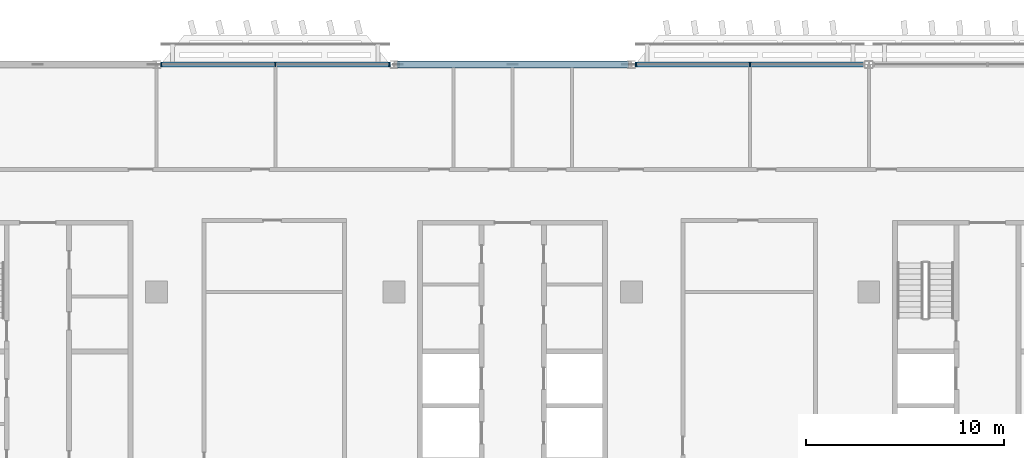
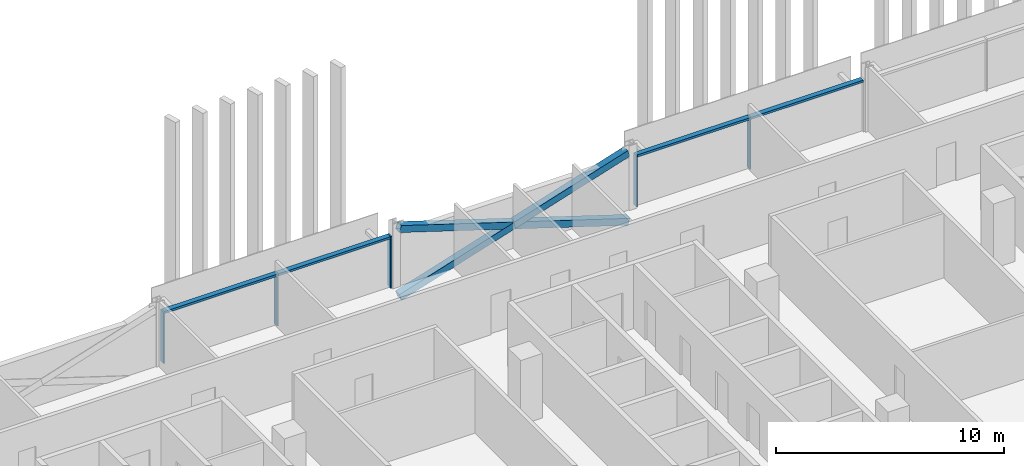
# One storey, part 5 of 28: 12 members, 2 elements without a shape of their own.
"""IFC4 building model written with IfcOpenShell, lengths in metres."""

from ifc_helpers import new_model, si_unit, direction, frame, origin, origin_2d, place, context, subcontext, project, spatial, rectangle, hollow_rectangle, extrude, material, material_profile, profile_set, type_object, element, aggregate, save


model = new_model("IFC4")

# Units and contexts
model_context = context("Model", 3, precision=1e-05, world=origin(), true_north=direction((0.0, 1.0)))
body_context = subcontext(model_context, "Body", "Model", "MODEL_VIEW")
ifc_project = project(units=[si_unit("LENGTHUNIT", "METRE"), si_unit("AREAUNIT", "SQUARE_METRE"), si_unit("VOLUMEUNIT", "CUBIC_METRE"), si_unit("PLANEANGLEUNIT", "RADIAN"), si_unit("MASSUNIT", "GRAM", prefix="KILO")], contexts=[model_context])

# Site, building, storey
site_placement = place(None, origin())
site = spatial("IfcSite", under=ifc_project, at=site_placement, CompositionType="ELEMENT")
building_placement = place(site_placement, origin())
building = spatial("IfcBuilding", under=site, at=building_placement, Name="Mahtab Terrace Research Tower", CompositionType="ELEMENT")
storey_placement = place(building_placement, frame((0.0, 0.0, 193.89990234375)))
storey = spatial("IfcBuildingStorey", under=building, at=storey_placement, Name="L46", CompositionType="ELEMENT", Elevation=193.89990234375)

# Members
ifc_material_1 = material(Name="Steel ASTM A500 Gr C", Category="steel")
ifc_material_profile_1 = material_profile(ifc_material_1, hollow_rectangle(XDim=0.355712890625, YDim=0.355712890625, WallThickness=0.015869140625, at=origin_2d()), Name="HSS14X14X5/8")
ifc_profile_set_1 = profile_set([ifc_material_profile_1], Name="Steel ASTM A500 Gr C")
member_type_1 = type_object("IfcMemberType", Name="HSS 14x14x5/8 brace XB141458", PredefinedType="BRACE", material=ifc_profile_set_1)
member_1_placement = place(storey_placement, frame((5.79931640625, 23.0, -0.615478515625), z_axis=(-0.953343380425, 0.0, 0.301888057067), x_axis=(0.0, -1.0, 0.0)))
element("IfcMember", 1, at=member_1_placement, inside=storey, type_object=member_type_1, Name="Exoskeleton brace L46 05 a", PredefinedType="BRACE", context=body_context, shape_type="SweptSolid", body=[
    extrude(hollow_rectangle(XDim=0.355712890625, YDim=0.355712890625, WallThickness=0.015869140625, at=origin_2d()), origin(), (0.0, 0.0, 1.0), 12.166259765625),
])
for number, where, z_axis, x_axis, name in (
    (2, (-5.79931640625, 23.0, -0.615478515625), (0.953343380425, 0.0, 0.301888057067), (0.0, 1.0, 0.0), "Exoskeleton brace L46 05 b1"),
    (3, (0.0, 23.0, 1.220947265625), (0.953343380425, 0.0, 0.301888057067), (0.0, 1.0, 0.0), "Exoskeleton brace L46 05 b2"),
):
    element("IfcMember", number, at=place(storey_placement, frame(where, z_axis=z_axis, x_axis=x_axis)), inside=storey, type_object=member_type_1, Name=name, PredefinedType="BRACE", context=body_context, shape_type="SweptSolid", body=[
        extrude(hollow_rectangle(XDim=0.355712890625, YDim=0.355712890625, WallThickness=0.015869140625, at=origin_2d()), origin(), (0.0, 0.0, 1.0), 6.083251953125),
    ])

# Curtain wall, members
ifc_material_2 = material(Name="Sky lounge full-height curtain wall")
curtain_wall_type = type_object("IfcCurtainWallType", Name="Sky lounge full-height curtain wall", PredefinedType="NOTDEFINED", material=ifc_material_2)
curtain_wall_1_placement = place(storey_placement, origin())
curtain_wall_1 = element("IfcCurtainWall", 4, at=curtain_wall_1_placement, inside=storey, type_object=curtain_wall_type, Name="EN.L46.3.6", PredefinedType="NOTDEFINED")
ifc_material_3 = material(Name="Natural anodised aluminium", Category="aluminium")
ifc_material_profile_2 = material_profile(ifc_material_3, rectangle(XDim=0.25, YDim=0.070068359375, at=origin_2d()), Name="MULLION 70x250")
ifc_profile_set_2 = profile_set([ifc_material_profile_2], Name="Natural anodised aluminium")
member_type_2 = type_object("IfcMemberType", Name="Sky lounge full-height curtain wall mullion", PredefinedType="MULLION", material=ifc_profile_set_2)
member_2_placement = place(storey_placement, frame((12.0, 23.0, 0.0), z_axis=(0.0, 0.0, 1.0), x_axis=(0.0, -1.0, 0.0)))
member_2 = element("IfcMember", 5, at=member_2_placement, type_object=member_type_2, Name="CWS-6 mullion 2", PredefinedType="MULLION", context=body_context, shape_type="SweptSolid", body=[
    extrude(rectangle(XDim=0.25, YDim=0.070068359375, at=origin_2d()), origin(), (0.0, 0.0, 1.0), 2.781982421875),
])
member_3_placement = place(storey_placement, frame((6.235107421875, 23.0, 0.0), z_axis=(0.0, 0.0, 1.0), x_axis=(0.0, -1.0, 0.0)))
member_3 = element("IfcMember", 6, at=member_3_placement, type_object=member_type_2, Name="CWS-6 mullion 3", PredefinedType="MULLION", context=body_context, shape_type="SweptSolid", body=[
    extrude(rectangle(XDim=0.25, YDim=0.070068359375, at=origin_2d()), origin(), (0.0, 0.0, 1.0), 2.781982421875),
])

curtain_wall_2_placement = place(storey_placement, origin())
curtain_wall_2 = element("IfcCurtainWall", 7, at=curtain_wall_2_placement, inside=storey, type_object=curtain_wall_type, Name="EN.L46.3.8", PredefinedType="NOTDEFINED")
member_4_placement = place(storey_placement, frame((-6.235107421875, 23.0, 0.0), z_axis=(0.0, 0.0, 1.0), x_axis=(0.0, -1.0, 0.0)))
member_4 = element("IfcMember", 8, at=member_4_placement, type_object=member_type_2, Name="CWS-6 mullion 1", PredefinedType="MULLION", context=body_context, shape_type="SweptSolid", body=[
    extrude(rectangle(XDim=0.25, YDim=0.070068359375, at=origin_2d()), origin(), (0.0, 0.0, 1.0), 2.781982421875),
])
member_5_placement = place(storey_placement, frame((-12.0, 23.0, 0.0), z_axis=(0.0, 0.0, 1.0), x_axis=(0.0, -1.0, 0.0)))
member_5 = element("IfcMember", 9, at=member_5_placement, type_object=member_type_2, Name="CWS-6 mullion 2", PredefinedType="MULLION", context=body_context, shape_type="SweptSolid", body=[
    extrude(rectangle(XDim=0.25, YDim=0.070068359375, at=origin_2d()), origin(), (0.0, 0.0, 1.0), 2.781982421875),
])
member_6_placement = place(storey_placement, frame((-17.764892578125, 23.0, 0.0), z_axis=(0.0, 0.0, 1.0), x_axis=(0.0, -1.0, 0.0)))
member_6 = element("IfcMember", 10, at=member_6_placement, type_object=member_type_2, Name="CWS-6 mullion 3", PredefinedType="MULLION", context=body_context, shape_type="SweptSolid", body=[
    extrude(rectangle(XDim=0.25, YDim=0.070068359375, at=origin_2d()), origin(), (0.0, 0.0, 1.0), 2.781982421875),
])

# Member
ifc_material_profile_3 = material_profile(ifc_material_3, rectangle(XDim=0.25, YDim=0.1201171875, at=origin_2d()), Name="TRANSOM 120x250")
ifc_profile_set_3 = profile_set([ifc_material_profile_3], Name="Natural anodised aluminium")
member_type_3 = type_object("IfcMemberType", Name="Sky lounge full-height curtain wall transom", PredefinedType="USERDEFINED", material=ifc_profile_set_3)
member_7_placement = place(storey_placement, frame((17.72998046875, 23.0, 2.721923828125), z_axis=(-1.0, 0.0, 0.0), x_axis=(0.0, -1.0, 0.0)))
member_7 = element("IfcMember", 11, at=member_7_placement, type_object=member_type_3, Name="CWS-6 transom 1", ObjectType="TRANSOM", PredefinedType="USERDEFINED", context=body_context, shape_type="SweptSolid", body=[
    extrude(rectangle(XDim=0.25, YDim=0.1201171875, at=origin_2d()), origin(), (0.0, 0.0, 1.0), 5.695068359375),
])

member_8_placement = place(storey_placement, frame((11.965087890625, 23.0, 2.721923828125), z_axis=(-1.0, 0.0, 0.0), x_axis=(0.0, -1.0, 0.0)))
member_8 = element("IfcMember", 12, at=member_8_placement, type_object=member_type_3, Name="CWS-6 transom 2", ObjectType="TRANSOM", PredefinedType="USERDEFINED", context=body_context, shape_type="SweptSolid", body=[
    extrude(rectangle(XDim=0.25, YDim=0.1201171875, at=origin_2d()), origin(), (0.0, 0.0, 1.0), 5.695068359375),
])

aggregate(curtain_wall_1, [member_2, member_3, member_7, member_8])

member_9_placement = place(storey_placement, frame((-6.27001953125, 23.0, 2.721923828125), z_axis=(-1.0, 0.0, 0.0), x_axis=(0.0, -1.0, 0.0)))
member_9 = element("IfcMember", 13, at=member_9_placement, type_object=member_type_3, Name="CWS-6 transom 1", ObjectType="TRANSOM", PredefinedType="USERDEFINED", context=body_context, shape_type="SweptSolid", body=[
    extrude(rectangle(XDim=0.25, YDim=0.1201171875, at=origin_2d()), origin(), (0.0, 0.0, 1.0), 5.695068359375),
])

member_10_placement = place(storey_placement, frame((-12.034912109375, 23.0, 2.721923828125), z_axis=(-1.0, 0.0, 0.0), x_axis=(0.0, -1.0, 0.0)))
member_10 = element("IfcMember", 14, at=member_10_placement, type_object=member_type_3, Name="CWS-6 transom 2", ObjectType="TRANSOM", PredefinedType="USERDEFINED", context=body_context, shape_type="SweptSolid", body=[
    extrude(rectangle(XDim=0.25, YDim=0.1201171875, at=origin_2d()), origin(), (0.0, 0.0, 1.0), 5.695068359375),
])

aggregate(curtain_wall_2, [member_4, member_5, member_6, member_9, member_10])

save(model, "model.ifc")
